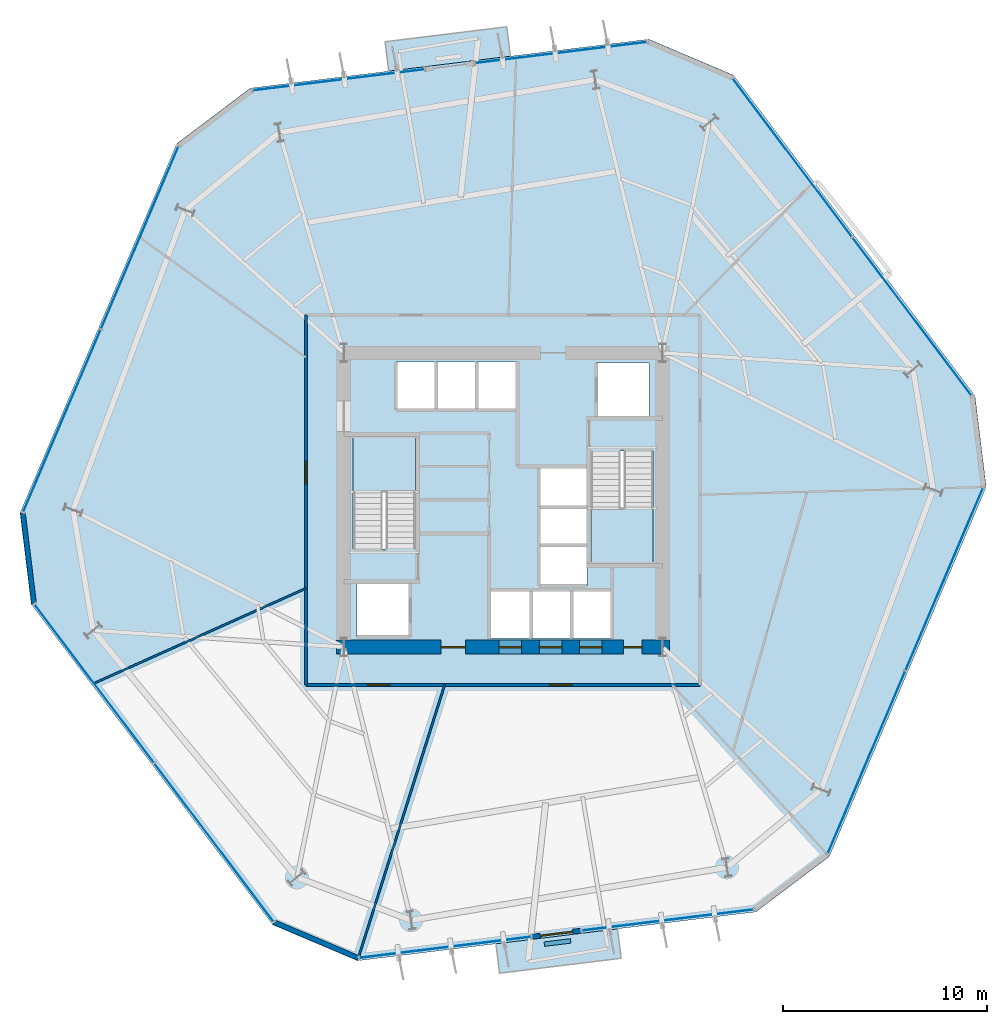
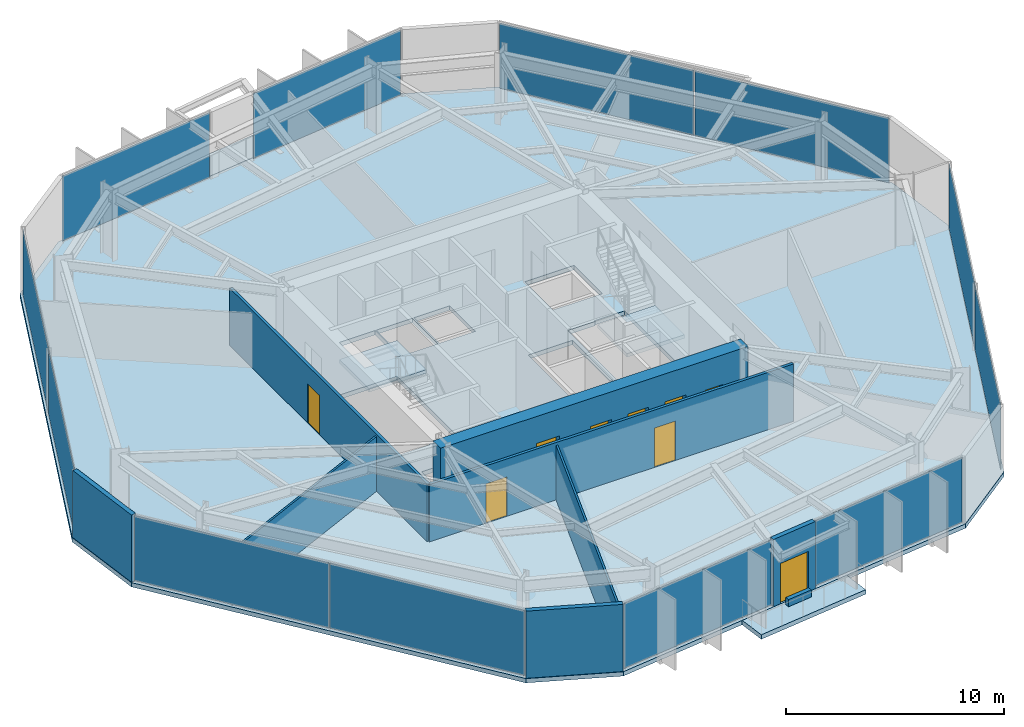
# One storey, part 6 of 11: 12 plates, 9 doors, 9 walls, 5 slabs, 9 openings, 10 elements without a shape of their own.
"""IFC4 building model written with IfcOpenShell, lengths in metres."""

from ifc_helpers import new_model, si_unit, direction, frame, frame_2d, origin, origin_2d, place, context, subcontext, project, spatial, polyline, rectangle, outline, extrude, material, layer, layer_set, type_object, element, fill, aggregate, save


model = new_model("IFC4")

# Units and contexts
model_context = context("Model", 3, precision=1e-05, world=origin(), true_north=direction((0.0, 1.0)))
body_context = subcontext(model_context, "Body", "Model", "MODEL_VIEW")
ifc_project = project(units=[si_unit("LENGTHUNIT", "METRE"), si_unit("AREAUNIT", "SQUARE_METRE"), si_unit("VOLUMEUNIT", "CUBIC_METRE"), si_unit("PLANEANGLEUNIT", "RADIAN"), si_unit("MASSUNIT", "GRAM", prefix="KILO")], contexts=[model_context])

# Site, building, storey
site_placement = place(None, origin())
site = spatial("IfcSite", under=ifc_project, at=site_placement, CompositionType="ELEMENT")
building_placement = place(site_placement, origin())
building = spatial("IfcBuilding", under=site, at=building_placement, Name="Kranzbogen Civic Tower", CompositionType="ELEMENT")
storey_placement = place(building_placement, frame((0.0, 0.0, 48.0)))
storey = spatial("IfcBuildingStorey", under=building, at=storey_placement, Name="L11", CompositionType="ELEMENT", Elevation=48.0)

# Slab
ifc_material_1 = material(Name="Concrete C40/50", Category="concrete")
ifc_layer_1 = layer(ifc_material_1, 0.239990234375, Name="Concrete C40/50")
ifc_layer_set_1 = layer_set([ifc_layer_1], Name="Concrete C40/50")
slab_type_1 = type_object("IfcSlabType", Name="Composite Lower Tower Floor Slab 240 mm", PredefinedType="FLOOR", material=ifc_layer_set_1)
slab_1_placement = place(storey_placement, frame((0.0, 0.0, -0.239990234375)))
element("IfcSlab", 1, at=slab_1_placement, inside=storey, type_object=slab_type_1, Name="L11 tower floor slab", PredefinedType="FLOOR", context=body_context, shape_type="SweptSolid", body=[
    extrude(outline(polyline([(48.10595703125, 30.10400390625), (36.27490234375, 45.803955078125), (32.133056640625, 47.56201171875), (12.62109375, 45.1669921875), (9.027099609375, 42.4580078125), (1.344970703125, 24.362060546875), (1.89404296875, 19.89599609375), (13.72509765625, 4.196044921875), (17.866943359375, 2.43798828125), (37.37890625, 4.8330078125), (40.972900390625, 7.5419921875), (48.655029296875, 25.637939453125), (48.10595703125, 30.10400390625)]), holes=[polyline([(26.300048828125, 20.60009765625), (26.300048828125, 18.25), (24.39990234375, 18.25), (24.39990234375, 20.60009765625), (26.300048828125, 20.60009765625)]), polyline([(28.27490234375, 18.25), (26.375, 18.25), (26.375, 20.60009765625), (28.27490234375, 20.60009765625), (28.27490234375, 18.25)]), polyline([(20.449951171875, 18.300048828125), (17.85009765625, 18.300048828125), (17.85009765625, 20.89990234375), (20.449951171875, 20.89990234375), (20.449951171875, 18.300048828125)]), polyline([(20.699951171875, 22.659912109375), (19.25, 22.659912109375), (19.25, 22.60009765625), (17.64990234375, 22.60009765625), (17.64990234375, 28.10009765625), (20.699951171875, 28.10009765625), (20.699951171875, 22.659912109375)]), polyline([(21.64990234375, 29.39990234375), (19.75, 29.39990234375), (19.75, 31.75), (21.64990234375, 31.75), (21.64990234375, 29.39990234375)]), polyline([(23.625, 29.39990234375), (21.72509765625, 29.39990234375), (21.72509765625, 31.75), (23.625, 31.75), (23.625, 29.39990234375)]), polyline([(25.60009765625, 31.75), (25.60009765625, 29.39990234375), (23.699951171875, 29.39990234375), (23.699951171875, 31.75), (25.60009765625, 31.75)]), polyline([(30.25, 18.25), (28.35009765625, 18.25), (28.35009765625, 20.60009765625), (30.25, 20.60009765625), (30.25, 18.25)]), polyline([(29.10009765625, 20.800048828125), (26.75, 20.800048828125), (26.75, 22.699951171875), (29.10009765625, 22.699951171875), (29.10009765625, 20.800048828125)]), polyline([(26.75, 26.550048828125), (29.10009765625, 26.550048828125), (29.10009765625, 24.675048828125), (29.10009765625, 24.64990234375), (29.10009765625, 22.77490234375), (26.75, 22.77490234375), (26.75, 24.64990234375), (26.75, 24.675048828125), (26.75, 26.550048828125)]), polyline([(30.75, 27.340087890625), (30.75, 27.39990234375), (32.35009765625, 27.39990234375), (32.35009765625, 21.89990234375), (29.300048828125, 21.89990234375), (29.300048828125, 27.340087890625), (30.75, 27.340087890625)]), polyline([(32.14990234375, 29.10009765625), (29.550048828125, 29.10009765625), (29.550048828125, 31.699951171875), (32.14990234375, 31.699951171875), (32.14990234375, 29.10009765625)])]), origin(), (0.0, 0.0, 1.0), 0.239990234375),
])

# Curtain wall, plates
ifc_material_2 = material(Name="Pale Anodised Aluminium", Category="aluminium")
ifc_layer_2 = layer(ifc_material_2, 0.219970703125, Name="Pale Anodised Aluminium")
ifc_layer_set_2 = layer_set([ifc_layer_2], Name="Pale Anodised Aluminium")
curtain_wall_type = type_object("IfcCurtainWallType", Name="Zone 1 Stick Curtain Wall System CW-02", PredefinedType="USERDEFINED", material=ifc_layer_set_2)
curtain_wall_1_placement = place(storey_placement, origin())
curtain_wall_1 = element("IfcCurtainWall", 2, at=curtain_wall_1_placement, inside=storey, type_object=curtain_wall_type, Name="L11 curtain wall CW-L11-F1", ObjectType="STICK CURTAIN WALL", PredefinedType="USERDEFINED")
ifc_material_3 = material(Name="Low-E Triple Glazing Glass", Category="glass")
ifc_layer_3 = layer(ifc_material_3, 0.033935546875, Name="Low-E Triple Glazing Glass")
ifc_layer_set_3 = layer_set([ifc_layer_3], Name="Low-E Triple Glazing Glass")
plate_type = type_object("IfcPlateType", Name="Insulated Low-E Glazing Panel 34 mm", PredefinedType="CURTAIN_PANEL", material=ifc_layer_set_3)
plate_1_placement = place(storey_placement, frame((45.019775390625, 33.98779296875, 0.06005859375), z_axis=(0.0, 0.0, 1.0), x_axis=(-0.601824225047, 0.798628575839, 0.0)))
plate_1 = element("IfcPlate", 3, at=plate_1_placement, type_object=plate_type, Name="CW-02 panel 1.1", PredefinedType="CURTAIN_PANEL", context=body_context, shape_type="SweptSolid", body=[
    extrude(rectangle(XDim=9.68115234375, YDim=0.028076171875, at=origin_2d()), origin(), (0.0, 0.0, 1.0), 3.639892578125),
])
plate_2_placement = place(storey_placement, frame((39.1572265625, 41.767333984375, 0.06005859375), z_axis=(0.0, 0.0, 1.0), x_axis=(-0.601824225047, 0.798628575839, 0.0)))
plate_2 = element("IfcPlate", 4, at=plate_2_placement, type_object=plate_type, Name="CW-02 panel 2.1", PredefinedType="CURTAIN_PANEL", context=body_context, shape_type="SweptSolid", body=[
    extrude(rectangle(XDim=9.68115234375, YDim=0.028076171875, at=origin_2d()), origin(), (0.0, 0.0, 1.0), 3.639892578125),
])
aggregate(curtain_wall_1, [plate_1, plate_2])

# Curtain wall, plate
curtain_wall_2_placement = place(storey_placement, origin())
curtain_wall_2 = element("IfcCurtainWall", 5, at=curtain_wall_2_placement, inside=storey, type_object=curtain_wall_type, Name="L11 curtain wall CW-L11-F2-S1", ObjectType="STICK CURTAIN WALL", PredefinedType="USERDEFINED")
plate_3_placement = place(storey_placement, frame((27.8369140625, 46.906982421875, 0.06005859375), z_axis=(0.0, 0.0, 1.0), x_axis=(-0.992555336015, -0.121794519367, 0.0)))
plate_3 = element("IfcPlate", 6, at=plate_3_placement, type_object=plate_type, Name="CW-02 panel 1.1", PredefinedType="CURTAIN_PANEL", context=body_context, shape_type="SweptSolid", body=[
    extrude(rectangle(XDim=8.451904296875, YDim=0.028076171875, at=origin_2d()), origin(), (0.0, 0.0, 1.0), 3.639892578125),
])
aggregate(curtain_wall_2, [plate_3])

curtain_wall_3_placement = place(storey_placement, origin())
curtain_wall_3 = element("IfcCurtainWall", 7, at=curtain_wall_3_placement, inside=storey, type_object=curtain_wall_type, Name="L11 curtain wall CW-L11-F2-S2", ObjectType="STICK CURTAIN WALL", PredefinedType="USERDEFINED")
plate_4_placement = place(storey_placement, frame((16.947509765625, 45.570068359375, 0.06005859375), z_axis=(0.0, 0.0, 1.0), x_axis=(-0.99255360517, -0.121808623929, 0.0)))
plate_4 = element("IfcPlate", 8, at=plate_4_placement, type_object=plate_type, Name="CW-02 panel 1.1", PredefinedType="CURTAIN_PANEL", context=body_context, shape_type="SweptSolid", body=[
    extrude(rectangle(XDim=8.450927734375, YDim=0.028076171875, at=origin_2d()), origin(), (0.0, 0.0, 1.0), 3.639892578125),
])
aggregate(curtain_wall_3, [plate_4])

# Curtain wall, plates
curtain_wall_4_placement = place(storey_placement, origin())
curtain_wall_4 = element("IfcCurtainWall", 9, at=curtain_wall_4_placement, inside=storey, type_object=curtain_wall_type, Name="L11 curtain wall CW-L11-F3", ObjectType="STICK CURTAIN WALL", PredefinedType="USERDEFINED")
plate_5_placement = place(storey_placement, frame((7.206787109375, 37.843994140625, 0.06005859375), z_axis=(0.0, 0.0, 1.0), x_axis=(-0.390779797784, -0.920484193044, 0.0)))
plate_5 = element("IfcPlate", 10, at=plate_5_placement, type_object=plate_type, Name="CW-02 panel 1.1", PredefinedType="CURTAIN_PANEL", context=body_context, shape_type="SweptSolid", body=[
    extrude(rectangle(XDim=9.681396484375, YDim=0.028076171875, at=origin_2d()), origin(), (0.0, 0.0, 1.0), 3.639892578125),
])
plate_6_placement = place(storey_placement, frame((3.400146484375, 28.876953125, 0.06005859375), z_axis=(0.0, 0.0, 1.0), x_axis=(-0.390779797784, -0.920484193044, 0.0)))
plate_6 = element("IfcPlate", 11, at=plate_6_placement, type_object=plate_type, Name="CW-02 panel 2.1", PredefinedType="CURTAIN_PANEL", context=body_context, shape_type="SweptSolid", body=[
    extrude(rectangle(XDim=9.681396484375, YDim=0.028076171875, at=origin_2d()), origin(), (0.0, 0.0, 1.0), 3.639892578125),
])
aggregate(curtain_wall_4, [plate_5, plate_6])

curtain_wall_5_placement = place(storey_placement, origin())
curtain_wall_5 = element("IfcCurtainWall", 12, at=curtain_wall_5_placement, inside=storey, type_object=curtain_wall_type, Name="L11 curtain wall CW-L11-F4", ObjectType="STICK CURTAIN WALL", PredefinedType="USERDEFINED")
plate_7_placement = place(storey_placement, frame((4.980224609375, 16.01220703125, 0.06005859375), z_axis=(0.0, 0.0, 1.0), x_axis=(0.601824225047, -0.798628575839, 0.0)))
plate_7 = element("IfcPlate", 13, at=plate_7_placement, type_object=plate_type, Name="CW-02 panel 1.1", PredefinedType="CURTAIN_PANEL", context=body_context, shape_type="SweptSolid", body=[
    extrude(rectangle(XDim=9.68115234375, YDim=0.028076171875, at=origin_2d()), origin(), (0.0, 0.0, 1.0), 3.639892578125),
])
plate_8_placement = place(storey_placement, frame((10.8427734375, 8.232666015625, 0.06005859375), z_axis=(0.0, 0.0, 1.0), x_axis=(0.601824225047, -0.798628575839, 0.0)))
plate_8 = element("IfcPlate", 14, at=plate_8_placement, type_object=plate_type, Name="CW-02 panel 2.1", PredefinedType="CURTAIN_PANEL", context=body_context, shape_type="SweptSolid", body=[
    extrude(rectangle(XDim=9.68115234375, YDim=0.028076171875, at=origin_2d()), origin(), (0.0, 0.0, 1.0), 3.639892578125),
])
aggregate(curtain_wall_5, [plate_7, plate_8])

# Curtain wall, plate
curtain_wall_6_placement = place(storey_placement, origin())
curtain_wall_6 = element("IfcCurtainWall", 15, at=curtain_wall_6_placement, inside=storey, type_object=curtain_wall_type, Name="L11 curtain wall CW-L11-F5-S1", ObjectType="STICK CURTAIN WALL", PredefinedType="USERDEFINED")
plate_9_placement = place(storey_placement, frame((22.1630859375, 3.093017578125, 0.06005859375), z_axis=(0.0, 0.0, 1.0), x_axis=(0.992555336015, 0.121794519367, 0.0)))
plate_9 = element("IfcPlate", 16, at=plate_9_placement, type_object=plate_type, Name="CW-02 panel 1.1", PredefinedType="CURTAIN_PANEL", context=body_context, shape_type="SweptSolid", body=[
    extrude(rectangle(XDim=8.451904296875, YDim=0.028076171875, at=origin_2d()), origin(), (0.0, 0.0, 1.0), 3.639892578125),
])
aggregate(curtain_wall_6, [plate_9])

curtain_wall_7_placement = place(storey_placement, origin())
curtain_wall_7 = element("IfcCurtainWall", 17, at=curtain_wall_7_placement, inside=storey, type_object=curtain_wall_type, Name="L11 curtain wall CW-L11-F5-S2", ObjectType="STICK CURTAIN WALL", PredefinedType="USERDEFINED")
plate_10_placement = place(storey_placement, frame((33.052490234375, 4.429931640625, 0.06005859375), z_axis=(0.0, 0.0, 1.0), x_axis=(0.99255360517, 0.121808623929, 0.0)))
plate_10 = element("IfcPlate", 18, at=plate_10_placement, type_object=plate_type, Name="CW-02 panel 1.1", PredefinedType="CURTAIN_PANEL", context=body_context, shape_type="SweptSolid", body=[
    extrude(rectangle(XDim=8.450927734375, YDim=0.028076171875, at=origin_2d()), origin(), (0.0, 0.0, 1.0), 3.639892578125),
])
aggregate(curtain_wall_7, [plate_10])

# Curtain wall, plates
curtain_wall_8_placement = place(storey_placement, origin())
curtain_wall_8 = element("IfcCurtainWall", 19, at=curtain_wall_8_placement, inside=storey, type_object=curtain_wall_type, Name="L11 curtain wall CW-L11-F6", ObjectType="STICK CURTAIN WALL", PredefinedType="USERDEFINED")
plate_11_placement = place(storey_placement, frame((42.793212890625, 12.156005859375, 0.06005859375), z_axis=(0.0, 0.0, 1.0), x_axis=(0.390779797784, 0.920484193044, 0.0)))
plate_11 = element("IfcPlate", 20, at=plate_11_placement, type_object=plate_type, Name="CW-02 panel 1.1", PredefinedType="CURTAIN_PANEL", context=body_context, shape_type="SweptSolid", body=[
    extrude(rectangle(XDim=9.681396484375, YDim=0.028076171875, at=origin_2d()), origin(), (0.0, 0.0, 1.0), 3.639892578125),
])
plate_12_placement = place(storey_placement, frame((46.599853515625, 21.123046875, 0.06005859375), z_axis=(0.0, 0.0, 1.0), x_axis=(0.390779797784, 0.920484193044, 0.0)))
plate_12 = element("IfcPlate", 21, at=plate_12_placement, type_object=plate_type, Name="CW-02 panel 2.1", PredefinedType="CURTAIN_PANEL", context=body_context, shape_type="SweptSolid", body=[
    extrude(rectangle(XDim=9.681396484375, YDim=0.028076171875, at=origin_2d()), origin(), (0.0, 0.0, 1.0), 3.639892578125),
])
aggregate(curtain_wall_8, [plate_11, plate_12])

# Stair, slab
ifc_material_4 = material(Name="Precast concrete C40/50", Category="concrete")
stair_type_1 = type_object("IfcStairType", Name="Tower Core Pressurized Dogleg Stair 1450", PredefinedType="HALF_TURN_STAIR", material=ifc_material_4)
stair_1_placement = place(storey_placement, origin())
stair_1 = element("IfcStair", 22, at=stair_1_placement, inside=storey, type_object=stair_type_1, Name="L11 Tower Core Pressurized Stair 1", PredefinedType="HALF_TURN_STAIR")
ifc_layer_4 = layer(ifc_material_4, 0.199951171875, Name="Precast concrete C40/50")
ifc_layer_set_4 = layer_set([ifc_layer_4], Name="Precast concrete C40/50")
slab_type_2 = type_object("IfcSlabType", Name="Precast Concrete Stair Landing Slab 200 mm", PredefinedType="LANDING", material=ifc_layer_set_4)
slab_2_placement = place(storey_placement, frame((0.0, 0.0, 1.800048828125)))
slab_2 = element("IfcSlab", 23, at=slab_2_placement, type_object=slab_type_2, Name="ST-T1 landing 1", PredefinedType="LANDING", context=body_context, shape_type="SweptSolid", body=[
    extrude(outline(polyline([(20.699951171875, 25.39990234375), (20.699951171875, 28.10009765625), (17.64990234375, 28.10009765625), (17.64990234375, 25.39990234375), (20.699951171875, 25.39990234375)])), origin(), (0.0, 0.0, 1.0), 0.199951171875),
])
aggregate(stair_1, [slab_2])

stair_type_2 = type_object("IfcStairType", Name="Tower Core Secondary Dogleg Stair 1450", PredefinedType="HALF_TURN_STAIR", material=ifc_material_4)
stair_2_placement = place(storey_placement, origin())
stair_2 = element("IfcStair", 24, at=stair_2_placement, inside=storey, type_object=stair_type_2, Name="L11 Tower Core Pressurized Stair 2", PredefinedType="HALF_TURN_STAIR")
slab_3_placement = place(storey_placement, frame((0.0, 0.0, 1.800048828125)))
slab_3 = element("IfcSlab", 25, at=slab_3_placement, type_object=slab_type_2, Name="ST-T2 landing 1", PredefinedType="LANDING", context=body_context, shape_type="SweptSolid", body=[
    extrude(outline(polyline([(29.300048828125, 24.60009765625), (29.300048828125, 21.89990234375), (32.35009765625, 21.89990234375), (32.35009765625, 24.60009765625), (29.300048828125, 24.60009765625)])), origin(), (0.0, 0.0, 1.0), 0.199951171875),
])
aggregate(stair_2, [slab_3])

# Slabs
ifc_layer_5 = layer(ifc_material_1, 0.25, Name="Concrete C40/50")
ifc_layer_set_5 = layer_set([ifc_layer_5], Name="Concrete C40/50")
slab_type_3 = type_object("IfcSlabType", Name="Tree Balcony Cantilevered Slab 250 mm", PredefinedType="FLOOR", material=ifc_layer_set_5)
slab_4_placement = place(storey_placement, frame((0.0, 0.0, -0.25)))
element("IfcSlab", 26, at=slab_4_placement, inside=storey, type_object=slab_type_3, Name="L11 cantilevered tree balcony L11-TB1", PredefinedType="FLOOR", context=body_context, shape_type="SweptSolid", body=[
    extrude(outline(polyline([(24.64599609375, 3.27001953125), (30.60107421875, 4.0009765625), (30.778076171875, 2.56201171875), (24.822998046875, 1.8310546875), (24.64599609375, 3.27001953125)])), origin(), (0.0, 0.0, 1.0), 0.25),
])
slab_5_placement = place(storey_placement, frame((0.0, 0.0, -0.25)))
element("IfcSlab", 27, at=slab_5_placement, inside=storey, type_object=slab_type_3, Name="L11 cantilevered tree balcony L11-TB2", PredefinedType="FLOOR", context=body_context, shape_type="SweptSolid", body=[
    extrude(outline(polyline([(25.35400390625, 46.72998046875), (19.39892578125, 45.9990234375), (19.221923828125, 47.43798828125), (25.177001953125, 48.1689453125), (25.35400390625, 46.72998046875)])), origin(), (0.0, 0.0, 1.0), 0.25),
])

# Wall, openings, doors
ifc_material_5 = material(Name="Double-Stud Acoustic Gypsum Partition")
ifc_layer_6 = layer(ifc_material_5, 0.14990234375, Name="Double-Stud Acoustic Gypsum Partition")
ifc_layer_set_6 = layer_set([ifc_layer_6], Name="Double-Stud Acoustic Gypsum Partition")
wall_type_1 = type_object("IfcWallType", Name="Acoustic Corridor and Clinical Partition 150 mm", PredefinedType="PARTITIONING", material=ifc_layer_set_6)
wall_1_placement = place(storey_placement, frame((34.64990234375, 15.949951171875, 0.0), z_axis=(0.0, 0.0, 1.0), x_axis=(-1.0, 0.0, 0.0)))
wall_1 = element("IfcWall", 28, at=wall_1_placement, inside=storey, type_object=wall_type_1, Name="L11 corridor partition 03", PredefinedType="PARTITIONING", context=body_context, shape_type="SweptSolid", body=[
    extrude(rectangle(XDim=19.2998046875, YDim=0.14990234375, at=frame_2d((9.64990234375, 0.0))), origin(), (0.0, 0.0, 1.0), 3.2099609375),
])
opening_1_placement = place(wall_1_placement, frame((15.18408203125, 0.0, 0.0)))
opening_1 = element("IfcOpeningElement", 29, at=opening_1_placement, cuts=wall_1, Name="Opening D-COR60", PredefinedType="OPENING", context=body_context, shape_type="SweptSolid", body=[
    extrude(rectangle(XDim=1.10009765625, YDim=2.199951171875, at=frame_2d((0.550048828125, 1.10009765625))), frame((0.0, 0.0849609375, 0.0), z_axis=(0.0, -1.0, 0.0), x_axis=(1.0, 0.0, 0.0)), (0.0, 0.0, 1.0), 0.169921875),
])
opening_2_placement = place(wall_1_placement, frame((6.26806640625, 0.0, 0.0)))
opening_2 = element("IfcOpeningElement", 30, at=opening_2_placement, cuts=wall_1, Name="Opening D-COR60", PredefinedType="OPENING", context=body_context, shape_type="SweptSolid", body=[
    extrude(rectangle(XDim=1.10009765625, YDim=2.199951171875, at=frame_2d((0.550048828125, 1.10009765625))), frame((0.0, 0.0849609375, 0.0), z_axis=(0.0, -1.0, 0.0), x_axis=(1.0, 0.0, 0.0)), (0.0, 0.0, 1.0), 0.169921875),
])
ifc_material_6 = material(Name="Oak Timber and Fire Core", Category="wood")
door_type_1 = type_object("IfcDoorType", Name="Corridor Acoustic Fire Door 1100x2200", OperationType="NOTDEFINED", PredefinedType="DOOR", material=ifc_material_6)
door_1_placement = place(opening_1_placement, origin())
door_1 = element("IfcDoor", 31, at=door_1_placement, inside=storey, type_object=door_type_1, Name="L11 Ministerial Policy Office door", OperationType="SINGLE_SWING_RIGHT", OverallHeight=2.199951171875, OverallWidth=1.10009765625, PredefinedType="DOOR", context=body_context, shape_type="SweptSolid", body=[
    extrude(rectangle(XDim=1.10009765625, YDim=2.199951171875, at=frame_2d((0.550048828125, 1.10009765625))), frame((0.0, 0.02490234375, 0.0), z_axis=(0.0, -1.0, 0.0), x_axis=(1.0, 0.0, 0.0)), (0.0, 0.0, 1.0), 0.050048828125),
])
fill(opening_1, door_1)
door_2_placement = place(opening_2_placement, origin())
door_2 = element("IfcDoor", 32, at=door_2_placement, inside=storey, type_object=door_type_1, Name="L11 Directorate Admin Workspace door", OperationType="SINGLE_SWING_LEFT", OverallHeight=2.199951171875, OverallWidth=1.10009765625, PredefinedType="DOOR", context=body_context, shape_type="SweptSolid", body=[
    extrude(rectangle(XDim=1.10009765625, YDim=2.199951171875, at=frame_2d((0.550048828125, 1.10009765625))), frame((0.0, 0.02490234375, 0.0), z_axis=(0.0, -1.0, 0.0), x_axis=(1.0, 0.0, 0.0)), (0.0, 0.0, 1.0), 0.050048828125),
])
fill(opening_2, door_2)

# Wall, opening, door
wall_2_placement = place(storey_placement, frame((15.35009765625, 15.949951171875, 0.0), z_axis=(0.0, 0.0, 1.0), x_axis=(0.0, 1.0, 0.0)))
wall_2 = element("IfcWall", 33, at=wall_2_placement, inside=storey, type_object=wall_type_1, Name="L11 corridor partition 04", PredefinedType="PARTITIONING", context=body_context, shape_type="SweptSolid", body=[
    extrude(rectangle(XDim=18.10009765625, YDim=0.14990234375, at=frame_2d((9.050048828125, 0.0))), origin(), (0.0, 0.0, 1.0), 3.2099609375),
])
opening_3_placement = place(wall_2_placement, frame((9.840087890625, 0.0, 0.0)))
opening_3 = element("IfcOpeningElement", 34, at=opening_3_placement, cuts=wall_2, Name="Opening D-COR60", PredefinedType="OPENING", context=body_context, shape_type="SweptSolid", body=[
    extrude(rectangle(XDim=1.10009765625, YDim=2.199951171875, at=frame_2d((0.550048828125, 1.10009765625))), frame((0.0, 0.0849609375, 0.0), z_axis=(0.0, -1.0, 0.0), x_axis=(1.0, 0.0, 0.0)), (0.0, 0.0, 1.0), 0.169921875),
])
door_3_placement = place(opening_3_placement, origin())
door_3 = element("IfcDoor", 35, at=door_3_placement, inside=storey, type_object=door_type_1, Name="L11 Operations Security Control Room door", OperationType="SINGLE_SWING_LEFT", OverallHeight=2.199951171875, OverallWidth=1.10009765625, PredefinedType="DOOR", context=body_context, shape_type="SweptSolid", body=[
    extrude(rectangle(XDim=1.10009765625, YDim=2.199951171875, at=frame_2d((0.550048828125, 1.10009765625))), frame((0.0, 0.02490234375, 0.0), z_axis=(0.0, -1.0, 0.0), x_axis=(1.0, 0.0, 0.0)), (0.0, 0.0, 1.0), 0.050048828125),
])
fill(opening_3, door_3)

# Wall
ifc_material_7 = material(Name="Architectural Precast Terracotta Concrete C40/50", Category="masonry")
ifc_layer_7 = layer(ifc_material_7, 0.219970703125, Name="Architectural Precast Terracotta Concrete C40/50")
ifc_layer_set_7 = layer_set([ifc_layer_7], Name="Architectural Precast Terracotta Concrete C40/50")
wall_type_2 = type_object("IfcWallType", Name="Architectural Tree Planter Kerb Wall 220 mm", PredefinedType="USERDEFINED", material=ifc_layer_set_7)
wall_3_placement = place(storey_placement, frame((27.01611328125, 3.25390625, 0.0), z_axis=(0.0, 0.0, 1.0), x_axis=(0.99256138924, 0.121745178919, 0.0)))
element("IfcWall", 36, at=wall_3_placement, inside=storey, type_object=wall_type_2, Name="L11 landscaped tree balcony planter L11-TB1", ObjectType="PLANTER_WALL", PredefinedType="USERDEFINED", context=body_context, shape_type="SweptSolid", body=[
    extrude(rectangle(XDim=1.299560546875, YDim=0.219970703125, at=frame_2d((0.64990234375, 0.0))), origin(), (0.0, 0.0, 1.0), 0.39990234375),
])

# Wall, openings, doors
ifc_material_8 = material(Name="Concrete C55/67", Category="concrete")
ifc_layer_8 = layer(ifc_material_8, 0.699951171875, Name="Concrete C55/67")
ifc_layer_set_8 = layer_set([ifc_layer_8], Name="Concrete C55/67")
wall_type_3 = type_object("IfcWallType", Name="Central Core Shear Wall 700 mm", PredefinedType="SHEAR", material=ifc_layer_set_8)
wall_4_placement = place(storey_placement, frame((16.85009765625, 17.800048828125, 0.0), z_axis=(0.0, 0.0, 1.0), x_axis=(1.0, 0.0, 0.0)))
wall_4 = element("IfcWall", 37, at=wall_4_placement, inside=storey, type_object=wall_type_3, Name="L11 central core South shear wall", PredefinedType="SHEAR", context=body_context, shape_type="SweptSolid", body=[
    extrude(rectangle(XDim=16.2998046875, YDim=0.699951171875, at=frame_2d((8.14990234375, 0.0))), origin(), (0.0, 0.0, 1.0), 3.760009765625),
])
opening_4_placement = place(wall_4_placement, frame((5.10009765625, 0.0, 0.0)))
opening_4 = element("IfcOpeningElement", 38, at=opening_4_placement, cuts=wall_4, Name="Opening D-EX120", PredefinedType="OPENING", context=body_context, shape_type="SweptSolid", body=[
    extrude(rectangle(XDim=1.199951171875, YDim=2.25, at=frame_2d((0.60009765625, 1.125))), frame((0.0, 0.35986328125, 0.0), z_axis=(0.0, -1.0, 0.0), x_axis=(1.0, 0.0, 0.0)), (0.0, 0.0, 1.0), 0.719970703125),
])
opening_5_placement = place(wall_4_placement, frame((14.050048828125, 0.0, 0.0)))
opening_5 = element("IfcOpeningElement", 39, at=opening_5_placement, cuts=wall_4, Name="Opening D-WC90", PredefinedType="OPENING", context=body_context, shape_type="SweptSolid", body=[
    extrude(rectangle(XDim=0.89990234375, YDim=2.10009765625, at=frame_2d((0.449951171875, 1.050048828125))), frame((0.0, 0.35986328125, 0.0), z_axis=(0.0, -1.0, 0.0), x_axis=(1.0, 0.0, 0.0)), (0.0, 0.0, 1.0), 0.719970703125),
])
opening_6_placement = place(wall_4_placement, frame((7.949951171875, 0.0, 0.0)))
opening_6 = element("IfcOpeningElement", 40, at=opening_6_placement, cuts=wall_4, Name="Opening LD-LP-01", PredefinedType="OPENING", context=body_context, shape_type="SweptSolid", body=[
    extrude(rectangle(XDim=1.10009765625, YDim=2.199951171875, at=frame_2d((0.550048828125, 1.10009765625))), frame((0.0, 0.35986328125, 0.0), z_axis=(0.0, -1.0, 0.0), x_axis=(1.0, 0.0, 0.0)), (0.0, 0.0, 1.0), 0.719970703125),
])
opening_7_placement = place(wall_4_placement, frame((9.925048828125, 0.0, 0.0)))
opening_7 = element("IfcOpeningElement", 41, at=opening_7_placement, cuts=wall_4, Name="Opening LD-LP-02", PredefinedType="OPENING", context=body_context, shape_type="SweptSolid", body=[
    extrude(rectangle(XDim=1.10009765625, YDim=2.199951171875, at=frame_2d((0.550048828125, 1.10009765625))), frame((0.0, 0.35986328125, 0.0), z_axis=(0.0, -1.0, 0.0), x_axis=(1.0, 0.0, 0.0)), (0.0, 0.0, 1.0), 0.719970703125),
])
opening_8_placement = place(wall_4_placement, frame((11.89990234375, 0.0, 0.0)))
opening_8 = element("IfcOpeningElement", 42, at=opening_8_placement, cuts=wall_4, Name="Opening LD-LP-03", PredefinedType="OPENING", context=body_context, shape_type="SweptSolid", body=[
    extrude(rectangle(XDim=1.10009765625, YDim=2.199951171875, at=frame_2d((0.550048828125, 1.10009765625))), frame((0.0, 0.35986328125, 0.0), z_axis=(0.0, -1.0, 0.0), x_axis=(1.0, 0.0, 0.0)), (0.0, 0.0, 1.0), 0.719970703125),
])
ifc_material_9 = material(Name="Steel S355", Category="steel")
door_type_2 = type_object("IfcDoorType", Name="Exit Passageway Fire Door 1200x2250", OperationType="NOTDEFINED", PredefinedType="DOOR", material=ifc_material_9)
door_4_placement = place(opening_4_placement, origin())
door_4 = element("IfcDoor", 43, at=door_4_placement, inside=storey, type_object=door_type_2, Name="L11 West firefighting lobby corridor door", OperationType="SINGLE_SWING_RIGHT", OverallHeight=2.25, OverallWidth=1.199951171875, PredefinedType="DOOR", context=body_context, shape_type="SweptSolid", body=[
    extrude(rectangle(XDim=1.199951171875, YDim=2.25, at=frame_2d((0.60009765625, 1.125))), frame((0.0, 0.02490234375, 0.0), z_axis=(0.0, -1.0, 0.0), x_axis=(1.0, 0.0, 0.0)), (0.0, 0.0, 1.0), 0.050048828125),
])
fill(opening_4, door_4)
door_type_3 = type_object("IfcDoorType", Name="Passenger Lift Sliding Landing Door 1100x2200", OperationType="DOUBLE_DOOR_SLIDING", PredefinedType="DOOR", material=ifc_material_2)
door_5_placement = place(opening_6_placement, origin())
door_5 = element("IfcDoor", 44, at=door_5_placement, inside=storey, type_object=door_type_3, Name="L11 lift LP-01 sliding landing door", OperationType="DOUBLE_DOOR_SLIDING", OverallHeight=2.199951171875, OverallWidth=1.10009765625, PredefinedType="DOOR", context=body_context, shape_type="SweptSolid", body=[
    extrude(rectangle(XDim=1.10009765625, YDim=2.199951171875, at=frame_2d((0.550048828125, 1.10009765625))), frame((0.0, 0.02490234375, 0.0), z_axis=(0.0, -1.0, 0.0), x_axis=(1.0, 0.0, 0.0)), (0.0, 0.0, 1.0), 0.050048828125),
])
fill(opening_6, door_5)
door_6_placement = place(opening_7_placement, origin())
door_6 = element("IfcDoor", 45, at=door_6_placement, inside=storey, type_object=door_type_3, Name="L11 lift LP-02 sliding landing door", OperationType="DOUBLE_DOOR_SLIDING", OverallHeight=2.199951171875, OverallWidth=1.10009765625, PredefinedType="DOOR", context=body_context, shape_type="SweptSolid", body=[
    extrude(rectangle(XDim=1.10009765625, YDim=2.199951171875, at=frame_2d((0.550048828125, 1.10009765625))), frame((0.0, 0.02490234375, 0.0), z_axis=(0.0, -1.0, 0.0), x_axis=(1.0, 0.0, 0.0)), (0.0, 0.0, 1.0), 0.050048828125),
])
fill(opening_7, door_6)
door_7_placement = place(opening_8_placement, origin())
door_7 = element("IfcDoor", 46, at=door_7_placement, inside=storey, type_object=door_type_3, Name="L11 lift LP-03 sliding landing door", OperationType="DOUBLE_DOOR_SLIDING", OverallHeight=2.199951171875, OverallWidth=1.10009765625, PredefinedType="DOOR", context=body_context, shape_type="SweptSolid", body=[
    extrude(rectangle(XDim=1.10009765625, YDim=2.199951171875, at=frame_2d((0.550048828125, 1.10009765625))), frame((0.0, 0.02490234375, 0.0), z_axis=(0.0, -1.0, 0.0), x_axis=(1.0, 0.0, 0.0)), (0.0, 0.0, 1.0), 0.050048828125),
])
fill(opening_8, door_7)
ifc_material_10 = material(Name="Moisture-Resistant Laminate")
door_type_4 = type_object("IfcDoorType", Name="Standard Restroom and Store Door 900x2100", OperationType="NOTDEFINED", PredefinedType="DOOR", material=ifc_material_10)
door_8_placement = place(opening_5_placement, origin())
door_8 = element("IfcDoor", 47, at=door_8_placement, inside=storey, type_object=door_type_4, Name="L11 East electrical riser access door", OperationType="SINGLE_SWING_LEFT", OverallHeight=2.10009765625, OverallWidth=0.89990234375, PredefinedType="DOOR", context=body_context, shape_type="SweptSolid", body=[
    extrude(rectangle(XDim=0.89990234375, YDim=2.10009765625, at=frame_2d((0.449951171875, 1.050048828125))), frame((0.0, 0.02490234375, 0.0), z_axis=(0.0, -1.0, 0.0), x_axis=(1.0, 0.0, 0.0)), (0.0, 0.0, 1.0), 0.050048828125),
])
fill(opening_5, door_8)

# Walls
ifc_material_11 = material(Name="Demountable Aluminium and Gypsum Partition", Category="aluminium")
ifc_layer_9 = layer(ifc_material_11, 0.10009765625, Name="Demountable Aluminium and Gypsum Partition")
ifc_layer_set_9 = layer_set([ifc_layer_9], Name="Demountable Aluminium and Gypsum Partition")
wall_type_4 = type_object("IfcWallType", Name="Demountable Office Partition 100 mm", PredefinedType="MOVABLE", material=ifc_layer_set_9)
wall_5_placement = place(storey_placement, frame((15.35009765625, 20.676025390625, 0.0), z_axis=(0.0, 0.0, 1.0), x_axis=(-0.912557190222, -0.408949110005, 0.0)))
element("IfcWall", 48, at=wall_5_placement, inside=storey, type_object=wall_type_4, Name="L11 radial room partition 04", PredefinedType="MOVABLE", context=body_context, shape_type="SweptSolid", body=[
    extrude(rectangle(XDim=11.35595703125, YDim=0.10009765625, at=frame_2d((5.677978515625, 0.0))), origin(), (0.0, 0.0, 1.0), 3.06005859375),
])
wall_6_placement = place(storey_placement, frame((22.138916015625, 15.949951171875, 0.0), z_axis=(0.0, 0.0, 1.0), x_axis=(-0.301454069298, -0.953480699387, 0.0)))
element("IfcWall", 49, at=wall_6_placement, inside=storey, type_object=wall_type_4, Name="L11 radial room partition 05", PredefinedType="MOVABLE", context=body_context, shape_type="SweptSolid", body=[
    extrude(rectangle(XDim=14.01171875, YDim=0.10009765625, at=frame_2d((7.005859375, 0.0))), origin(), (0.0, 0.0, 1.0), 3.050048828125),
])
ifc_layer_10 = layer(ifc_material_2, 0.239990234375, Name="Pale Anodised Aluminium")
ifc_layer_set_10 = layer_set([ifc_layer_10], Name="Pale Anodised Aluminium")
wall_type_5 = type_object("IfcWallType", Name="Insulated Aluminium Facade Portal Wall 240 mm", PredefinedType="STANDARD", material=ifc_layer_set_10)
wall_7_placement = place(storey_placement, frame((1.485107421875, 24.365966796875, 0.0), z_axis=(0.0, 0.0, 1.0), x_axis=(0.122032788479, -0.992526069449, 0.0)))
element("IfcWall", 50, at=wall_7_placement, inside=storey, type_object=wall_type_5, Name="L11 chamfered corner facade spandrel 3", PredefinedType="STANDARD", context=body_context, shape_type="SweptSolid", body=[
    extrude(rectangle(XDim=4.473388671875, YDim=0.239990234375, at=frame_2d((2.23681640625, 0.0))), origin(), (0.0, 0.0, 1.0), 3.760009765625),
])
wall_8_placement = place(storey_placement, frame((13.7919921875, 4.319091796875, 0.0), z_axis=(0.0, 0.0, 1.0), x_axis=(0.920463989724, -0.390827383409, 0.0)))
element("IfcWall", 51, at=wall_8_placement, inside=storey, type_object=wall_type_5, Name="L11 chamfered corner facade spandrel 4", PredefinedType="STANDARD", context=body_context, shape_type="SweptSolid", body=[
    extrude(rectangle(XDim=4.47265625, YDim=0.239990234375, at=frame_2d((2.236328125, 0.0))), origin(), (0.0, 0.0, 1.0), 3.760009765625),
])

# Wall, opening, door
wall_9_placement = place(storey_placement, frame((26.4169921875, 3.614990234375, 0.0), z_axis=(0.0, 0.0, 1.0), x_axis=(0.992521632568, 0.122068869435, 0.0)))
wall_9 = element("IfcWall", 52, at=wall_9_placement, inside=storey, type_object=wall_type_5, Name="L11 exterior entrance portal wall 1", PredefinedType="STANDARD", context=body_context, shape_type="SweptSolid", body=[
    extrude(rectangle(XDim=2.400146484375, YDim=0.239990234375, at=frame_2d((1.2001953125, 0.0))), origin(), (0.0, 0.0, 1.0), 3.760009765625),
])
opening_9_placement = place(wall_9_placement, frame((0.39990234375, 0.0, 0.0)))
opening_9 = element("IfcOpeningElement", 53, at=opening_9_placement, cuts=wall_9, Name="Opening D-TER", PredefinedType="OPENING", context=body_context, shape_type="SweptSolid", body=[
    extrude(rectangle(XDim=1.60009765625, YDim=2.25, at=frame_2d((0.800048828125, 1.125))), frame((0.0, 0.1298828125, 0.0), z_axis=(0.0, -1.0, 0.0), x_axis=(1.0, 0.0, 0.0)), (0.0, 0.0, 1.0), 0.260009765625),
])
ifc_material_12 = material(Name="Anodised Bronze and Triple Glass", Category="glass")
door_type_5 = type_object("IfcDoorType", Name="Glazed Terrace and Balcony Double Door 1600x2250", OperationType="DOUBLE_DOOR_SINGLE_SWING", PredefinedType="DOOR", material=ifc_material_12)
door_9_placement = place(opening_9_placement, frame((1.60009765625, 0.0, 0.0), z_axis=(0.0, 0.0, 1.0), x_axis=(-1.0, 0.0, 0.0)))
door_9 = element("IfcDoor", 54, at=door_9_placement, inside=storey, type_object=door_type_5, Name="L11 tree balcony access door L11-TB1", OperationType="DOUBLE_DOOR_SINGLE_SWING", OverallHeight=2.25, OverallWidth=1.60009765625, PredefinedType="DOOR", context=body_context, shape_type="SweptSolid", body=[
    extrude(rectangle(XDim=1.60009765625, YDim=2.25, at=frame_2d((0.800048828125, 1.125))), frame((0.0, 0.02490234375, 0.0), z_axis=(0.0, -1.0, 0.0), x_axis=(1.0, 0.0, 0.0)), (0.0, 0.0, 1.0), 0.050048828125),
])
fill(opening_9, door_9)

save(model, "model.ifc")
